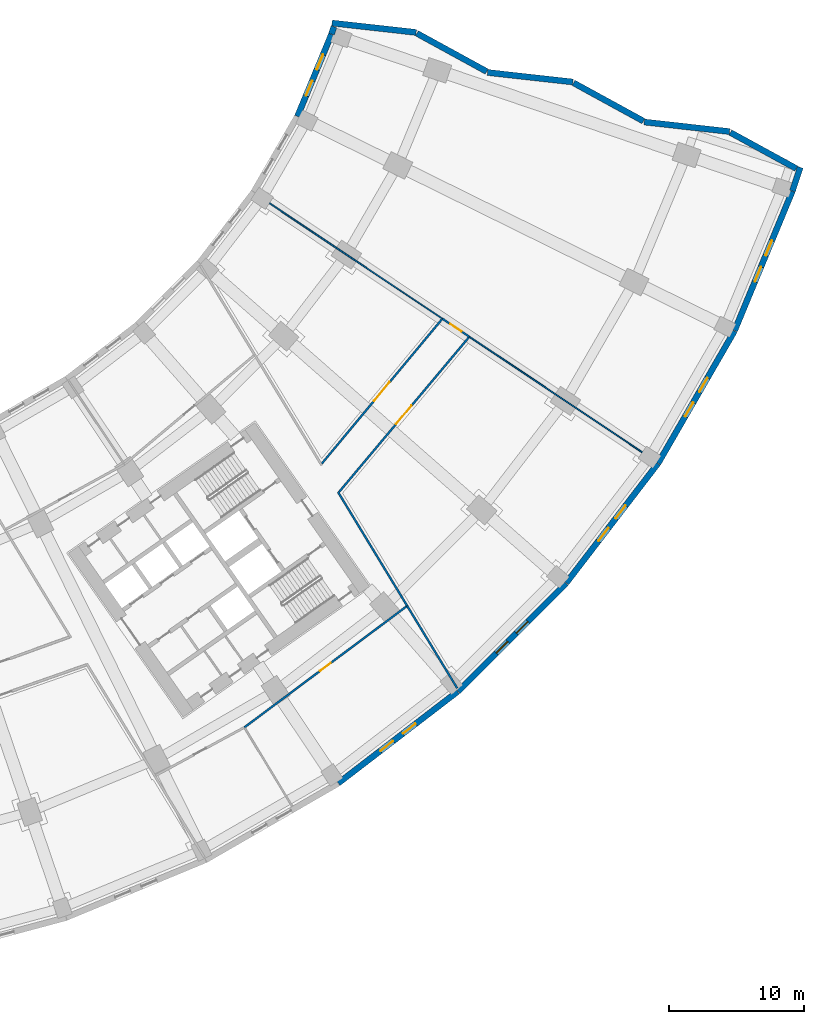
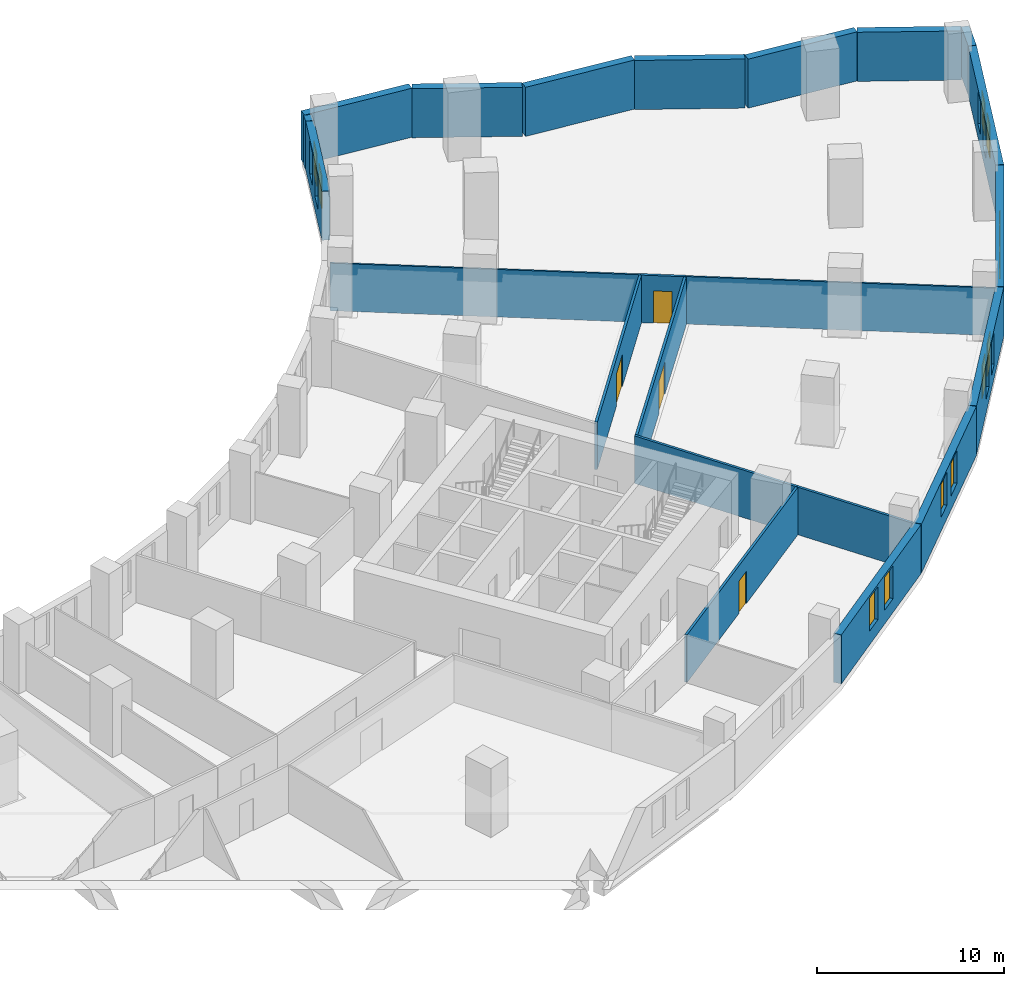
# One storey, part 14 of 20: 22 walls, 12 windows, 4 doors, 16 openings.
"""IFC4 building model written with IfcOpenShell, lengths in metres."""

from ifc_helpers import new_model, si_unit, direction, frame, frame_2d, origin, place, context, subcontext, project, spatial, rectangle, extrude, material, layer, layer_set, type_object, element, fill, save


model = new_model("IFC4")

# Units and contexts
model_context = context("Model", 3, precision=1e-05, world=origin(), true_north=direction((0.0, 1.0)))
body_context = subcontext(model_context, "Body", "Model", "MODEL_VIEW")
ifc_project = project(units=[si_unit("LENGTHUNIT", "METRE"), si_unit("AREAUNIT", "SQUARE_METRE"), si_unit("VOLUMEUNIT", "CUBIC_METRE"), si_unit("PLANEANGLEUNIT", "RADIAN"), si_unit("MASSUNIT", "GRAM", prefix="KILO")], contexts=[model_context])

# Site, building, storey
site_placement = place(None, origin())
site = spatial("IfcSite", under=ifc_project, at=site_placement, CompositionType="ELEMENT")
building_placement = place(site_placement, origin())
building = spatial("IfcBuilding", under=site, at=building_placement, Name="Qamariyya Broadcast Tower", CompositionType="ELEMENT")
storey_placement = place(building_placement, frame((0.0, 0.0, 27.0)))
storey = spatial("IfcBuildingStorey", under=building, at=storey_placement, Name="L03", CompositionType="ELEMENT", Elevation=27.0)

# Wall, opening, door
ifc_material_1 = material(Name="Gypsum board partition")
ifc_layer_1 = layer(ifc_material_1, 0.14990234375)
ifc_layer_set_1 = layer_set([ifc_layer_1], Name="Corridor partition 150 EI 60")
wall_type_1 = type_object("IfcWallType", Name="Corridor partition 150 EI 60", PredefinedType="PARTITIONING", material=ifc_layer_set_1)
wall_1_placement = place(storey_placement, frame((52.87548828125, -58.41650390625, 0.0), z_axis=(0.0, 0.0, 1.0), x_axis=(-0.801483412858, -0.598017005539, 0.0)))
wall_1 = element("IfcWall", 1, at=wall_1_placement, inside=storey, type_object=wall_type_1, Name="Partition L03-057", PredefinedType="PARTITIONING", context=body_context, shape_type="SweptSolid", body=[
    extrude(rectangle(XDim=14.96533203125, YDim=0.14990234375, at=frame_2d((7.482666015625, 0.0))), origin(), (0.0, 0.0, 1.0), 3.10009765625),
])
opening_1_placement = place(wall_1_placement, frame((6.982666015625, 0.0, 0.0)))
opening_1 = element("IfcOpeningElement", 2, at=opening_1_placement, cuts=wall_1, Name="Opening L03-D26", PredefinedType="OPENING", context=body_context, shape_type="SweptSolid", body=[
    extrude(rectangle(XDim=1.0, YDim=2.10009765625, at=frame_2d((0.5, 1.050048828125))), frame((0.0, 0.0849609375, 0.0), z_axis=(0.0, -1.0, 0.0), x_axis=(1.0, 0.0, 0.0)), (0.0, 0.0, 1.0), 0.169921875),
])
ifc_material_2 = material(Name="Timber fire door leaf", Category="wood")
door_type_1 = type_object("IfcDoorType", Name="Fire door 1000 x 2100 FD60", OperationType="NOTDEFINED", PredefinedType="DOOR", material=ifc_material_2)
door_1_placement = place(opening_1_placement, origin())
door_1 = element("IfcDoor", 3, at=door_1_placement, inside=storey, type_object=door_type_1, Name="Door L03-D26", OperationType="SINGLE_SWING_RIGHT", OverallHeight=2.10009765625, OverallWidth=1.0, PredefinedType="DOOR", context=body_context, shape_type="SweptSolid", body=[
    extrude(rectangle(XDim=1.0, YDim=2.10009765625, at=frame_2d((0.5, 1.050048828125))), frame((0.0, 0.02490234375, 0.0), z_axis=(0.0, -1.0, 0.0), x_axis=(1.0, 0.0, 0.0)), (0.0, 0.0, 1.0), 0.050048828125),
])
fill(opening_1, door_1)

wall_2_placement = place(storey_placement, frame((46.6171875, -47.833251953125, 0.0), z_axis=(0.0, 0.0, 1.0), x_axis=(0.639786242962, 0.768552902093, 0.0)))
wall_2 = element("IfcWall", 4, at=wall_2_placement, inside=storey, type_object=wall_type_1, Name="Partition L03-060", PredefinedType="PARTITIONING", context=body_context, shape_type="SweptSolid", body=[
    extrude(rectangle(XDim=13.874755859375, YDim=0.14990234375, at=frame_2d((6.9375, 0.0))), origin(), (0.0, 0.0, 1.0), 3.10009765625),
])
opening_2_placement = place(wall_2_placement, frame((6.037353515625, 0.0, 0.0)))
opening_2 = element("IfcOpeningElement", 5, at=opening_2_placement, cuts=wall_2, Name="Opening L03-D27", PredefinedType="OPENING", context=body_context, shape_type="SweptSolid", body=[
    extrude(rectangle(XDim=1.800048828125, YDim=2.10009765625, at=frame_2d((0.89990234375, 1.050048828125))), frame((0.0, 0.0849609375, 0.0), z_axis=(0.0, -1.0, 0.0), x_axis=(1.0, 0.0, 0.0)), (0.0, 0.0, 1.0), 0.169921875),
])
door_type_2 = type_object("IfcDoorType", Name="Double fire door 1800 x 2100 FD60", OperationType="NOTDEFINED", PredefinedType="DOOR", material=ifc_material_2)
door_2_placement = place(opening_2_placement, origin())
door_2 = element("IfcDoor", 6, at=door_2_placement, inside=storey, type_object=door_type_2, Name="Door L03-D27", OperationType="DOUBLE_DOOR_SINGLE_SWING", OverallHeight=2.10009765625, OverallWidth=1.800048828125, PredefinedType="DOOR", context=body_context, shape_type="SweptSolid", body=[
    extrude(rectangle(XDim=1.800048828125, YDim=2.10009765625, at=frame_2d((0.89990234375, 1.050048828125))), frame((0.0, 0.02490234375, 0.0), z_axis=(0.0, -1.0, 0.0), x_axis=(1.0, 0.0, 0.0)), (0.0, 0.0, 1.0), 0.050048828125),
])
fill(opening_2, door_2)

# Wall
wall_3_placement = place(storey_placement, frame((47.8076171875, -49.929443359375, 0.0), z_axis=(0.0, 0.0, 1.0), x_axis=(0.519169679695, -0.854671190392, 0.0)))
element("IfcWall", 7, at=wall_3_placement, inside=storey, type_object=wall_type_1, Name="Partition L03-061", PredefinedType="PARTITIONING", context=body_context, shape_type="SweptSolid", body=[
    extrude(rectangle(XDim=9.877685546875, YDim=0.14990234375, at=frame_2d((4.93896484375, 0.0))), origin(), (0.0, 0.0, 1.0), 3.10009765625),
])

# Wall, opening, door
wall_4_placement = place(storey_placement, frame((57.489501953125, -38.5029296875, 0.0), z_axis=(0.0, 0.0, 1.0), x_axis=(-0.642835259292, -0.766004457828, 0.0)))
wall_4 = element("IfcWall", 8, at=wall_4_placement, inside=storey, type_object=wall_type_1, Name="Partition L03-062", PredefinedType="PARTITIONING", context=body_context, shape_type="SweptSolid", body=[
    extrude(rectangle(XDim=14.925537109375, YDim=0.14990234375, at=frame_2d((7.462890625, 0.0))), origin(), (0.0, 0.0, 1.0), 3.10009765625),
])
opening_3_placement = place(wall_4_placement, frame((6.562744140625, 0.0, 0.0)))
opening_3 = element("IfcOpeningElement", 9, at=opening_3_placement, cuts=wall_4, Name="Opening L03-D28", PredefinedType="OPENING", context=body_context, shape_type="SweptSolid", body=[
    extrude(rectangle(XDim=1.800048828125, YDim=2.10009765625, at=frame_2d((0.89990234375, 1.050048828125))), frame((0.0, 0.0849609375, 0.0), z_axis=(0.0, -1.0, 0.0), x_axis=(1.0, 0.0, 0.0)), (0.0, 0.0, 1.0), 0.169921875),
])
door_3_placement = place(opening_3_placement, origin())
door_3 = element("IfcDoor", 10, at=door_3_placement, inside=storey, type_object=door_type_2, Name="Door L03-D28", OperationType="DOUBLE_DOOR_SINGLE_SWING", OverallHeight=2.10009765625, OverallWidth=1.800048828125, PredefinedType="DOOR", context=body_context, shape_type="SweptSolid", body=[
    extrude(rectangle(XDim=1.800048828125, YDim=2.10009765625, at=frame_2d((0.89990234375, 1.050048828125))), frame((0.0, 0.02490234375, 0.0), z_axis=(0.0, -1.0, 0.0), x_axis=(1.0, 0.0, 0.0)), (0.0, 0.0, 1.0), 0.050048828125),
])
fill(opening_3, door_3)

# Wall
wall_5_placement = place(storey_placement, frame((52.935791015625, -58.37158203125, 0.0), z_axis=(0.0, 0.0, 1.0), x_axis=(0.519148894699, -0.854683815883, 0.0)))
element("IfcWall", 11, at=wall_5_placement, inside=storey, type_object=wall_type_1, Name="Partition L03-063", PredefinedType="PARTITIONING", context=body_context, shape_type="SweptSolid", body=[
    extrude(rectangle(XDim=7.12548828125, YDim=0.14990234375, at=frame_2d((3.562744140625, 0.0))), origin(), (0.0, 0.0, 1.0), 3.10009765625),
])

# Wall, opening, door
wall_6_placement = place(storey_placement, frame((55.542236328125, -37.112060546875, 0.0), z_axis=(0.0, 0.0, 1.0), x_axis=(0.831423745392, -0.555638871569, 0.0)))
wall_6 = element("IfcWall", 12, at=wall_6_placement, inside=storey, type_object=wall_type_1, Name="Partition L03-065", PredefinedType="PARTITIONING", context=body_context, shape_type="SweptSolid", body=[
    extrude(rectangle(XDim=2.39990234375, YDim=0.14990234375, at=frame_2d((1.199951171875, 0.0))), origin(), (0.0, 0.0, 1.0), 3.10009765625),
])
opening_4_placement = place(wall_6_placement, frame((0.699951171875, 0.0, 0.0)))
opening_4 = element("IfcOpeningElement", 13, at=opening_4_placement, cuts=wall_6, Name="Opening L03-D29", PredefinedType="OPENING", context=body_context, shape_type="SweptSolid", body=[
    extrude(rectangle(XDim=1.0, YDim=2.10009765625, at=frame_2d((0.5, 1.050048828125))), frame((0.0, 0.0849609375, 0.0), z_axis=(0.0, -1.0, 0.0), x_axis=(1.0, 0.0, 0.0)), (0.0, 0.0, 1.0), 0.169921875),
])
door_4_placement = place(opening_4_placement, origin())
door_4 = element("IfcDoor", 14, at=door_4_placement, inside=storey, type_object=door_type_1, Name="Door L03-D29", OperationType="SINGLE_SWING_RIGHT", OverallHeight=2.10009765625, OverallWidth=1.0, PredefinedType="DOOR", context=body_context, shape_type="SweptSolid", body=[
    extrude(rectangle(XDim=1.0, YDim=2.10009765625, at=frame_2d((0.5, 1.050048828125))), frame((0.0, 0.02490234375, 0.0), z_axis=(0.0, -1.0, 0.0), x_axis=(1.0, 0.0, 0.0)), (0.0, 0.0, 1.0), 0.050048828125),
])
fill(opening_4, door_4)

# Walls
ifc_layer_2 = layer(ifc_material_1, 0.10009765625)
ifc_layer_set_2 = layer_set([ifc_layer_2], Name="Partition 100")
wall_type_2 = type_object("IfcWallType", Name="Partition 100", PredefinedType="PARTITIONING", material=ifc_layer_set_2)
for number, where, z_axis, x_axis, name in (
    (15, (55.542236328125, -37.112060546875, 0.0), (0.0, 0.0, 1.0), (-0.831472868546, 0.555565359677, 0.0), "Partition L03-064"),
    (16, (71.340087890625, -47.66796875, 0.0), (0.0, 0.0, 1.0), (-0.831472868546, 0.555565359677, 0.0), "Partition L03-066"),
):
    element("IfcWall", number, at=place(storey_placement, frame(where, z_axis=z_axis, x_axis=x_axis)), inside=storey, type_object=wall_type_2, Name=name, PredefinedType="PARTITIONING", context=body_context, shape_type="SweptSolid", body=[
        extrude(rectangle(XDim=16.60009765625, YDim=0.10009765625, at=frame_2d((8.300048828125, 0.0))), origin(), (0.0, 0.0, 1.0), 3.10009765625),
    ])
ifc_material_3 = material(Name="Precast concrete C40/50 with terracotta facing", Category="masonry")
ifc_layer_3 = layer(ifc_material_3, 0.449951171875)
ifc_layer_set_3 = layer_set([ifc_layer_3], Name="Precast concrete C40/50 wall 450, terracotta faced")
wall_type_3 = type_object("IfcWallType", Name="Precast concrete C40/50 wall 450, terracotta faced", PredefinedType="SOLIDWALL", material=ifc_layer_set_3)
wall_7_placement = place(storey_placement, frame((81.734130859375, -25.98974609375, 0.0), z_axis=(0.0, 0.0, 1.0), x_axis=(-0.877209140108, 0.480108450781, 0.0)))
element("IfcWall", 17, at=wall_7_placement, inside=storey, type_object=wall_type_3, Name="e-wl-L03-capE0", PredefinedType="SOLIDWALL", context=body_context, shape_type="SweptSolid", body=[
    extrude(rectangle(XDim=5.552978515625, YDim=0.449951171875, at=frame_2d((2.7763671875, 0.0))), origin(), (0.0, 0.0, 1.0), 3.199951171875),
])
wall_8_placement = place(storey_placement, frame((76.803955078125, -23.254638671875, 0.0), z_axis=(0.0, 0.0, 1.0), x_axis=(-0.993813805196, 0.111059086081, 0.0)))
element("IfcWall", 18, at=wall_8_placement, inside=storey, type_object=wall_type_3, Name="e-wl-L03-capE1", PredefinedType="SOLIDWALL", context=body_context, shape_type="SweptSolid", body=[
    extrude(rectangle(XDim=6.36181640625, YDim=0.449951171875, at=frame_2d((3.180908203125, 0.0))), origin(), (0.0, 0.0, 1.0), 3.199951171875),
])
wall_9_placement = place(storey_placement, frame((70.42236328125, -22.47900390625, 0.0), z_axis=(0.0, 0.0, 1.0), x_axis=(-0.877230259454, 0.480069861477, 0.0)))
element("IfcWall", 19, at=wall_9_placement, inside=storey, type_object=wall_type_3, Name="e-wl-L03-capE2", PredefinedType="SOLIDWALL", context=body_context, shape_type="SweptSolid", body=[
    extrude(rectangle(XDim=5.883544921875, YDim=0.449951171875, at=frame_2d((2.94189453125, 0.0))), origin(), (0.0, 0.0, 1.0), 3.199951171875),
])
wall_10_placement = place(storey_placement, frame((65.201904296875, -19.58544921875, 0.0), z_axis=(0.0, 0.0, 1.0), x_axis=(-0.993818963433, 0.111012917816, 0.0)))
element("IfcWall", 20, at=wall_10_placement, inside=storey, type_object=wall_type_3, Name="e-wl-L03-capE3", PredefinedType="SOLIDWALL", context=body_context, shape_type="SweptSolid", body=[
    extrude(rectangle(XDim=6.360107421875, YDim=0.449951171875, at=frame_2d((3.18017578125, 0.0))), origin(), (0.0, 0.0, 1.0), 3.199951171875),
])
wall_11_placement = place(storey_placement, frame((58.822021484375, -18.810302734375, 0.0), z_axis=(0.0, 0.0, 1.0), x_axis=(-0.87728135657, 0.479976480064, 0.0)))
element("IfcWall", 21, at=wall_11_placement, inside=storey, type_object=wall_type_3, Name="e-wl-L03-capE4", PredefinedType="SOLIDWALL", context=body_context, shape_type="SweptSolid", body=[
    extrude(rectangle(XDim=5.885498046875, YDim=0.449951171875, at=frame_2d((2.94287109375, 0.0))), origin(), (0.0, 0.0, 1.0), 3.199951171875),
])
wall_12_placement = place(storey_placement, frame((53.599365234375, -15.916015625, 0.0), z_axis=(0.0, 0.0, 1.0), x_axis=(-0.993827533543, 0.110936168908, 0.0)))
element("IfcWall", 22, at=wall_12_placement, inside=storey, type_object=wall_type_3, Name="e-wl-L03-capE5", PredefinedType="SOLIDWALL", context=body_context, shape_type="SweptSolid", body=[
    extrude(rectangle(XDim=6.265380859375, YDim=0.449951171875, at=frame_2d((3.1328125, 0.0))), origin(), (0.0, 0.0, 1.0), 3.199951171875),
])

# Wall, openings, windows
wall_13_placement = place(storey_placement, frame((47.32666015625, -16.055908203125, 0.0), z_axis=(0.0, 0.0, 1.0), x_axis=(-0.382692796414, -0.92387565374, 0.0)))
wall_13 = element("IfcWall", 23, at=wall_13_placement, inside=storey, type_object=wall_type_3, Name="e-wl-L03-in190", PredefinedType="SOLIDWALL", context=body_context, shape_type="SweptSolid", body=[
    extrude(rectangle(XDim=6.575927734375, YDim=0.449951171875, at=frame_2d((3.2880859375, 0.0))), origin(), (0.0, 0.0, 1.0), 3.199951171875),
])
opening_5_placement = place(wall_13_placement, frame((3.727294921875, 0.0, 0.89990234375)))
opening_5 = element("IfcOpeningElement", 24, at=opening_5_placement, cuts=wall_13, Name="Opening W3", PredefinedType="OPENING", context=body_context, shape_type="SweptSolid", body=[
    extrude(rectangle(XDim=1.199951171875, YDim=2.14990234375, at=frame_2d((0.60009765625, 1.074951171875))), frame((0.0, 0.23486328125, 0.0), z_axis=(0.0, -1.0, 0.0), x_axis=(1.0, 0.0, 0.0)), (0.0, 0.0, 1.0), 0.469970703125),
])
opening_6_placement = place(wall_13_placement, frame((1.62744140625, 0.0, 0.89990234375)))
opening_6 = element("IfcOpeningElement", 25, at=opening_6_placement, cuts=wall_13, Name="Opening W3", PredefinedType="OPENING", context=body_context, shape_type="SweptSolid", body=[
    extrude(rectangle(XDim=1.199951171875, YDim=2.14990234375, at=frame_2d((0.60009765625, 1.074951171875))), frame((0.0, 0.23486328125, 0.0), z_axis=(0.0, -1.0, 0.0), x_axis=(1.0, 0.0, 0.0)), (0.0, 0.0, 1.0), 0.469970703125),
])
ifc_material_4 = material(Name="Clear low-e double glazed unit in aluminium frame", Category="aluminium")
window_type = type_object("IfcWindowType", Name="Podium window 1200 x 2150", PartitioningType="SINGLE_PANEL", PredefinedType="WINDOW", material=ifc_material_4)
window_1_placement = place(opening_5_placement, origin())
window_1 = element("IfcWindow", 26, at=window_1_placement, inside=storey, type_object=window_type, Name="e-w-L03-in19a", OverallHeight=2.14990234375, OverallWidth=1.199951171875, PartitioningType="SINGLE_PANEL", PredefinedType="WINDOW", context=body_context, shape_type="SweptSolid", body=[
    extrude(rectangle(XDim=1.199951171875, YDim=2.14990234375, at=frame_2d((0.60009765625, 1.074951171875))), frame((0.0, 0.030029296875, 0.0), z_axis=(0.0, -1.0, 0.0), x_axis=(1.0, 0.0, 0.0)), (0.0, 0.0, 1.0), 0.06005859375),
])
fill(opening_5, window_1)
window_2_placement = place(opening_6_placement, origin())
window_2 = element("IfcWindow", 27, at=window_2_placement, inside=storey, type_object=window_type, Name="e-w-L03-in19b", OverallHeight=2.14990234375, OverallWidth=1.199951171875, PartitioningType="SINGLE_PANEL", PredefinedType="WINDOW", context=body_context, shape_type="SweptSolid", body=[
    extrude(rectangle(XDim=1.199951171875, YDim=2.14990234375, at=frame_2d((0.60009765625, 1.074951171875))), frame((0.0, 0.030029296875, 0.0), z_axis=(0.0, -1.0, 0.0), x_axis=(1.0, 0.0, 0.0)), (0.0, 0.0, 1.0), 0.06005859375),
])
fill(opening_6, window_2)

# Wall
wall_14_placement = place(storey_placement, frame((47.508544921875, -15.497314453125, 0.0), z_axis=(0.0, 0.0, 1.0), x_axis=(-0.311474670585, -0.950254455177, 0.0)))
element("IfcWall", 28, at=wall_14_placement, inside=storey, type_object=wall_type_3, Name="e-wl-L03-in200", PredefinedType="SOLIDWALL", context=body_context, shape_type="SweptSolid", body=[
    extrude(rectangle(XDim=0.570556640625, YDim=0.449951171875, at=frame_2d((0.28515625, 0.0))), origin(), (0.0, 0.0, 1.0), 3.199951171875),
])

# Wall, openings, windows
wall_15_placement = place(storey_placement, frame((47.83935546875, -71.490966796875, 0.0), z_axis=(0.0, 0.0, 1.0), x_axis=(0.793355377778, 0.608758773695, 0.0)))
wall_15 = element("IfcWall", 29, at=wall_15_placement, inside=storey, type_object=wall_type_3, Name="e-wl-L03-out150", PredefinedType="SOLIDWALL", context=body_context, shape_type="SweptSolid", body=[
    extrude(rectangle(XDim=11.134765625, YDim=0.449951171875, at=frame_2d((5.5673828125, 0.0))), origin(), (0.0, 0.0, 1.0), 3.199951171875),
])
opening_7_placement = place(wall_15_placement, frame((3.917236328125, 0.0, 0.89990234375)))
opening_7 = element("IfcOpeningElement", 30, at=opening_7_placement, cuts=wall_15, Name="Opening W3", PredefinedType="OPENING", context=body_context, shape_type="SweptSolid", body=[
    extrude(rectangle(XDim=1.199951171875, YDim=2.14990234375, at=frame_2d((0.60009765625, 1.074951171875))), frame((0.0, 0.23486328125, 0.0), z_axis=(0.0, -1.0, 0.0), x_axis=(1.0, 0.0, 0.0)), (0.0, 0.0, 1.0), 0.469970703125),
])
opening_8_placement = place(wall_15_placement, frame((6.017333984375, 0.0, 0.89990234375)))
opening_8 = element("IfcOpeningElement", 31, at=opening_8_placement, cuts=wall_15, Name="Opening W3", PredefinedType="OPENING", context=body_context, shape_type="SweptSolid", body=[
    extrude(rectangle(XDim=1.199951171875, YDim=2.14990234375, at=frame_2d((0.60009765625, 1.074951171875))), frame((0.0, 0.23486328125, 0.0), z_axis=(0.0, -1.0, 0.0), x_axis=(1.0, 0.0, 0.0)), (0.0, 0.0, 1.0), 0.469970703125),
])
window_3_placement = place(opening_7_placement, origin())
window_3 = element("IfcWindow", 32, at=window_3_placement, inside=storey, type_object=window_type, Name="e-w-L03-out15a", OverallHeight=2.14990234375, OverallWidth=1.199951171875, PartitioningType="SINGLE_PANEL", PredefinedType="WINDOW", context=body_context, shape_type="SweptSolid", body=[
    extrude(rectangle(XDim=1.199951171875, YDim=2.14990234375, at=frame_2d((0.60009765625, 1.074951171875))), frame((0.0, 0.030029296875, 0.0), z_axis=(0.0, -1.0, 0.0), x_axis=(1.0, 0.0, 0.0)), (0.0, 0.0, 1.0), 0.06005859375),
])
fill(opening_7, window_3)
window_4_placement = place(opening_8_placement, origin())
window_4 = element("IfcWindow", 33, at=window_4_placement, inside=storey, type_object=window_type, Name="e-w-L03-out15b", OverallHeight=2.14990234375, OverallWidth=1.199951171875, PartitioningType="SINGLE_PANEL", PredefinedType="WINDOW", context=body_context, shape_type="SweptSolid", body=[
    extrude(rectangle(XDim=1.199951171875, YDim=2.14990234375, at=frame_2d((0.60009765625, 1.074951171875))), frame((0.0, 0.030029296875, 0.0), z_axis=(0.0, -1.0, 0.0), x_axis=(1.0, 0.0, 0.0)), (0.0, 0.0, 1.0), 0.06005859375),
])
fill(opening_8, window_4)

wall_16_placement = place(storey_placement, frame((56.69873046875, -64.69775390625, 0.0), z_axis=(0.0, 0.0, 1.0), x_axis=(0.707106781187, 0.707106781187, 0.0)))
wall_16 = element("IfcWall", 34, at=wall_16_placement, inside=storey, type_object=wall_type_3, Name="e-wl-L03-out160", PredefinedType="SOLIDWALL", context=body_context, shape_type="SweptSolid", body=[
    extrude(rectangle(XDim=11.312255859375, YDim=0.449951171875, at=frame_2d((5.65625, 0.0))), origin(), (0.0, 0.0, 1.0), 3.199951171875),
])
opening_9_placement = place(wall_16_placement, frame((4.00634765625, 0.0, 0.89990234375)))
opening_9 = element("IfcOpeningElement", 35, at=opening_9_placement, cuts=wall_16, Name="Opening W3", PredefinedType="OPENING", context=body_context, shape_type="SweptSolid", body=[
    extrude(rectangle(XDim=1.199951171875, YDim=2.14990234375, at=frame_2d((0.60009765625, 1.074951171875))), frame((0.0, 0.23486328125, 0.0), z_axis=(0.0, -1.0, 0.0), x_axis=(1.0, 0.0, 0.0)), (0.0, 0.0, 1.0), 0.469970703125),
])
opening_10_placement = place(wall_16_placement, frame((6.106201171875, 0.0, 0.89990234375)))
opening_10 = element("IfcOpeningElement", 36, at=opening_10_placement, cuts=wall_16, Name="Opening W3", PredefinedType="OPENING", context=body_context, shape_type="SweptSolid", body=[
    extrude(rectangle(XDim=1.199951171875, YDim=2.14990234375, at=frame_2d((0.60009765625, 1.074951171875))), frame((0.0, 0.23486328125, 0.0), z_axis=(0.0, -1.0, 0.0), x_axis=(1.0, 0.0, 0.0)), (0.0, 0.0, 1.0), 0.469970703125),
])
window_5_placement = place(opening_9_placement, origin())
window_5 = element("IfcWindow", 37, at=window_5_placement, inside=storey, type_object=window_type, Name="e-w-L03-out16a", OverallHeight=2.14990234375, OverallWidth=1.199951171875, PartitioningType="SINGLE_PANEL", PredefinedType="WINDOW", context=body_context, shape_type="SweptSolid", body=[
    extrude(rectangle(XDim=1.199951171875, YDim=2.14990234375, at=frame_2d((0.60009765625, 1.074951171875))), frame((0.0, 0.030029296875, 0.0), z_axis=(0.0, -1.0, 0.0), x_axis=(1.0, 0.0, 0.0)), (0.0, 0.0, 1.0), 0.06005859375),
])
fill(opening_9, window_5)
window_6_placement = place(opening_10_placement, origin())
window_6 = element("IfcWindow", 38, at=window_6_placement, inside=storey, type_object=window_type, Name="e-w-L03-out16b", OverallHeight=2.14990234375, OverallWidth=1.199951171875, PartitioningType="SINGLE_PANEL", PredefinedType="WINDOW", context=body_context, shape_type="SweptSolid", body=[
    extrude(rectangle(XDim=1.199951171875, YDim=2.14990234375, at=frame_2d((0.60009765625, 1.074951171875))), frame((0.0, 0.030029296875, 0.0), z_axis=(0.0, -1.0, 0.0), x_axis=(1.0, 0.0, 0.0)), (0.0, 0.0, 1.0), 0.06005859375),
])
fill(opening_10, window_6)

wall_17_placement = place(storey_placement, frame((64.712646484375, -56.673095703125, 0.0), z_axis=(0.0, 0.0, 1.0), x_axis=(0.608758773695, 0.793355377778, 0.0)))
wall_17 = element("IfcWall", 39, at=wall_17_placement, inside=storey, type_object=wall_type_3, Name="e-wl-L03-out170", PredefinedType="SOLIDWALL", context=body_context, shape_type="SweptSolid", body=[
    extrude(rectangle(XDim=11.134765625, YDim=0.449951171875, at=frame_2d((5.5673828125, 0.0))), origin(), (0.0, 0.0, 1.0), 3.199951171875),
])
opening_11_placement = place(wall_17_placement, frame((3.917236328125, 0.0, 0.89990234375)))
opening_11 = element("IfcOpeningElement", 40, at=opening_11_placement, cuts=wall_17, Name="Opening W3", PredefinedType="OPENING", context=body_context, shape_type="SweptSolid", body=[
    extrude(rectangle(XDim=1.199951171875, YDim=2.14990234375, at=frame_2d((0.60009765625, 1.074951171875))), frame((0.0, 0.23486328125, 0.0), z_axis=(0.0, -1.0, 0.0), x_axis=(1.0, 0.0, 0.0)), (0.0, 0.0, 1.0), 0.469970703125),
])
opening_12_placement = place(wall_17_placement, frame((6.017333984375, 0.0, 0.89990234375)))
opening_12 = element("IfcOpeningElement", 41, at=opening_12_placement, cuts=wall_17, Name="Opening W3", PredefinedType="OPENING", context=body_context, shape_type="SweptSolid", body=[
    extrude(rectangle(XDim=1.199951171875, YDim=2.14990234375, at=frame_2d((0.60009765625, 1.074951171875))), frame((0.0, 0.23486328125, 0.0), z_axis=(0.0, -1.0, 0.0), x_axis=(1.0, 0.0, 0.0)), (0.0, 0.0, 1.0), 0.469970703125),
])
window_7_placement = place(opening_11_placement, origin())
window_7 = element("IfcWindow", 42, at=window_7_placement, inside=storey, type_object=window_type, Name="e-w-L03-out17a", OverallHeight=2.14990234375, OverallWidth=1.199951171875, PartitioningType="SINGLE_PANEL", PredefinedType="WINDOW", context=body_context, shape_type="SweptSolid", body=[
    extrude(rectangle(XDim=1.199951171875, YDim=2.14990234375, at=frame_2d((0.60009765625, 1.074951171875))), frame((0.0, 0.030029296875, 0.0), z_axis=(0.0, -1.0, 0.0), x_axis=(1.0, 0.0, 0.0)), (0.0, 0.0, 1.0), 0.06005859375),
])
fill(opening_11, window_7)
window_8_placement = place(opening_12_placement, origin())
window_8 = element("IfcWindow", 43, at=window_8_placement, inside=storey, type_object=window_type, Name="e-w-L03-out17b", OverallHeight=2.14990234375, OverallWidth=1.199951171875, PartitioningType="SINGLE_PANEL", PredefinedType="WINDOW", context=body_context, shape_type="SweptSolid", body=[
    extrude(rectangle(XDim=1.199951171875, YDim=2.14990234375, at=frame_2d((0.60009765625, 1.074951171875))), frame((0.0, 0.030029296875, 0.0), z_axis=(0.0, -1.0, 0.0), x_axis=(1.0, 0.0, 0.0)), (0.0, 0.0, 1.0), 0.06005859375),
])
fill(opening_12, window_8)

wall_18_placement = place(storey_placement, frame((71.51171875, -47.818603515625, 0.0), z_axis=(0.0, 0.0, 1.0), x_axis=(0.500001430823, 0.866024577697, 0.0)))
wall_18 = element("IfcWall", 44, at=wall_18_placement, inside=storey, type_object=wall_type_3, Name="e-wl-L03-out180", PredefinedType="SOLIDWALL", context=body_context, shape_type="SweptSolid", body=[
    extrude(rectangle(XDim=11.3125, YDim=0.449951171875, at=frame_2d((5.65625, 0.0))), origin(), (0.0, 0.0, 1.0), 3.199951171875),
])
opening_13_placement = place(wall_18_placement, frame((4.00634765625, 0.0, 0.89990234375)))
opening_13 = element("IfcOpeningElement", 45, at=opening_13_placement, cuts=wall_18, Name="Opening W3", PredefinedType="OPENING", context=body_context, shape_type="SweptSolid", body=[
    extrude(rectangle(XDim=1.199951171875, YDim=2.14990234375, at=frame_2d((0.60009765625, 1.074951171875))), frame((0.0, 0.23486328125, 0.0), z_axis=(0.0, -1.0, 0.0), x_axis=(1.0, 0.0, 0.0)), (0.0, 0.0, 1.0), 0.469970703125),
])
opening_14_placement = place(wall_18_placement, frame((6.106201171875, 0.0, 0.89990234375)))
opening_14 = element("IfcOpeningElement", 46, at=opening_14_placement, cuts=wall_18, Name="Opening W3", PredefinedType="OPENING", context=body_context, shape_type="SweptSolid", body=[
    extrude(rectangle(XDim=1.199951171875, YDim=2.14990234375, at=frame_2d((0.60009765625, 1.074951171875))), frame((0.0, 0.23486328125, 0.0), z_axis=(0.0, -1.0, 0.0), x_axis=(1.0, 0.0, 0.0)), (0.0, 0.0, 1.0), 0.469970703125),
])
window_9_placement = place(opening_13_placement, origin())
window_9 = element("IfcWindow", 47, at=window_9_placement, inside=storey, type_object=window_type, Name="e-w-L03-out18a", OverallHeight=2.14990234375, OverallWidth=1.199951171875, PartitioningType="SINGLE_PANEL", PredefinedType="WINDOW", context=body_context, shape_type="SweptSolid", body=[
    extrude(rectangle(XDim=1.199951171875, YDim=2.14990234375, at=frame_2d((0.60009765625, 1.074951171875))), frame((0.0, 0.030029296875, 0.0), z_axis=(0.0, -1.0, 0.0), x_axis=(1.0, 0.0, 0.0)), (0.0, 0.0, 1.0), 0.06005859375),
])
fill(opening_13, window_9)
window_10_placement = place(opening_14_placement, origin())
window_10 = element("IfcWindow", 48, at=window_10_placement, inside=storey, type_object=window_type, Name="e-w-L03-out18b", OverallHeight=2.14990234375, OverallWidth=1.199951171875, PartitioningType="SINGLE_PANEL", PredefinedType="WINDOW", context=body_context, shape_type="SweptSolid", body=[
    extrude(rectangle(XDim=1.199951171875, YDim=2.14990234375, at=frame_2d((0.60009765625, 1.074951171875))), frame((0.0, 0.030029296875, 0.0), z_axis=(0.0, -1.0, 0.0), x_axis=(1.0, 0.0, 0.0)), (0.0, 0.0, 1.0), 0.06005859375),
])
fill(opening_14, window_10)

wall_19_placement = place(storey_placement, frame((77.175537109375, -37.9931640625, 0.0), z_axis=(0.0, 0.0, 1.0), x_axis=(0.382700611107, 0.923872416656, 0.0)))
wall_19 = element("IfcWall", 49, at=wall_19_placement, inside=storey, type_object=wall_type_3, Name="e-wl-L03-out190", PredefinedType="SOLIDWALL", context=body_context, shape_type="SweptSolid", body=[
    extrude(rectangle(XDim=11.167724609375, YDim=0.449951171875, at=frame_2d((5.583984375, 0.0))), origin(), (0.0, 0.0, 1.0), 3.199951171875),
])
opening_15_placement = place(wall_19_placement, frame((3.917236328125, 0.0, 0.89990234375)))
opening_15 = element("IfcOpeningElement", 50, at=opening_15_placement, cuts=wall_19, Name="Opening W3", PredefinedType="OPENING", context=body_context, shape_type="SweptSolid", body=[
    extrude(rectangle(XDim=1.199951171875, YDim=2.14990234375, at=frame_2d((0.60009765625, 1.074951171875))), frame((0.0, 0.23486328125, 0.0), z_axis=(0.0, -1.0, 0.0), x_axis=(1.0, 0.0, 0.0)), (0.0, 0.0, 1.0), 0.469970703125),
])
opening_16_placement = place(wall_19_placement, frame((6.017333984375, 0.0, 0.89990234375)))
opening_16 = element("IfcOpeningElement", 51, at=opening_16_placement, cuts=wall_19, Name="Opening W3", PredefinedType="OPENING", context=body_context, shape_type="SweptSolid", body=[
    extrude(rectangle(XDim=1.199951171875, YDim=2.14990234375, at=frame_2d((0.60009765625, 1.074951171875))), frame((0.0, 0.23486328125, 0.0), z_axis=(0.0, -1.0, 0.0), x_axis=(1.0, 0.0, 0.0)), (0.0, 0.0, 1.0), 0.469970703125),
])
window_11_placement = place(opening_15_placement, origin())
window_11 = element("IfcWindow", 52, at=window_11_placement, inside=storey, type_object=window_type, Name="e-w-L03-out19a", OverallHeight=2.14990234375, OverallWidth=1.199951171875, PartitioningType="SINGLE_PANEL", PredefinedType="WINDOW", context=body_context, shape_type="SweptSolid", body=[
    extrude(rectangle(XDim=1.199951171875, YDim=2.14990234375, at=frame_2d((0.60009765625, 1.074951171875))), frame((0.0, 0.030029296875, 0.0), z_axis=(0.0, -1.0, 0.0), x_axis=(1.0, 0.0, 0.0)), (0.0, 0.0, 1.0), 0.06005859375),
])
fill(opening_15, window_11)
window_12_placement = place(opening_16_placement, origin())
window_12 = element("IfcWindow", 53, at=window_12_placement, inside=storey, type_object=window_type, Name="e-w-L03-out19b", OverallHeight=2.14990234375, OverallWidth=1.199951171875, PartitioningType="SINGLE_PANEL", PredefinedType="WINDOW", context=body_context, shape_type="SweptSolid", body=[
    extrude(rectangle(XDim=1.199951171875, YDim=2.14990234375, at=frame_2d((0.60009765625, 1.074951171875))), frame((0.0, 0.030029296875, 0.0), z_axis=(0.0, -1.0, 0.0), x_axis=(1.0, 0.0, 0.0)), (0.0, 0.0, 1.0), 0.06005859375),
])
fill(opening_16, window_12)

# Wall
wall_20_placement = place(storey_placement, frame((81.456787109375, -27.66015625, 0.0), z_axis=(0.0, 0.0, 1.0), x_axis=(0.311621150825, 0.95020642934, 0.0)))
element("IfcWall", 54, at=wall_20_placement, inside=storey, type_object=wall_type_3, Name="e-wl-L03-out200", PredefinedType="SOLIDWALL", context=body_context, shape_type="SweptSolid", body=[
    extrude(rectangle(XDim=1.845703125, YDim=0.449951171875, at=frame_2d((0.9228515625, 0.0))), origin(), (0.0, 0.0, 1.0), 3.199951171875),
])

save(model, "model.ifc")
